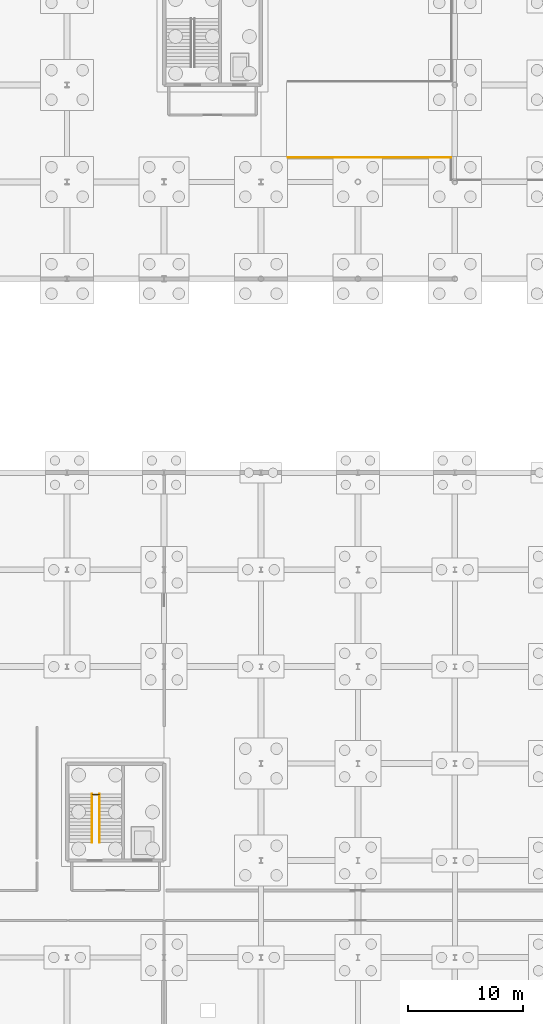
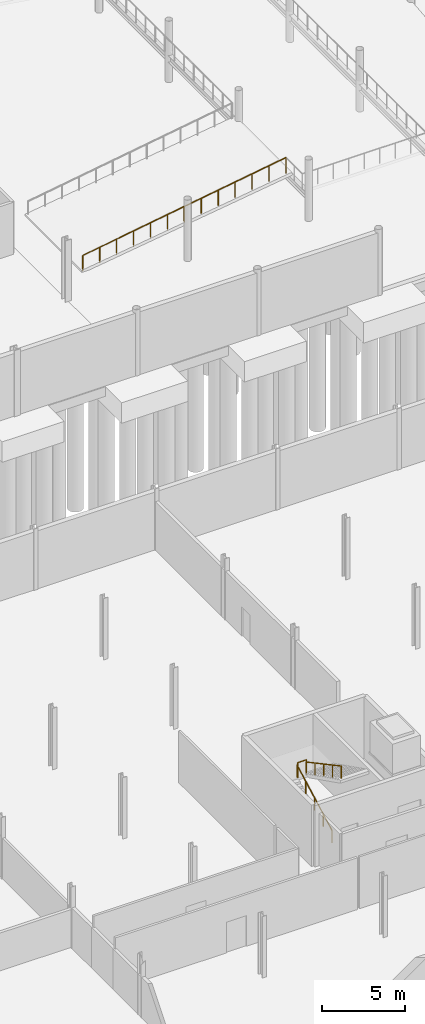
# One storey, part 49 of 51: 4 railings.
"""IFC4 building model written with IfcOpenShell, lengths in metres."""

from ifc_helpers import new_model, si_unit, direction, frame, origin, origin_2d, place, context, subcontext, project, spatial, circle, extrude, material, type_object, element, save


model = new_model("IFC4")

# Units and contexts
model_context = context("Model", 3, precision=1e-05, world=origin(), true_north=direction((0.0, 1.0)))
body_context = subcontext(model_context, "Body", "Model", "MODEL_VIEW")
ifc_project = project(units=[si_unit("LENGTHUNIT", "METRE"), si_unit("AREAUNIT", "SQUARE_METRE"), si_unit("VOLUMEUNIT", "CUBIC_METRE"), si_unit("PLANEANGLEUNIT", "RADIAN"), si_unit("MASSUNIT", "GRAM", prefix="KILO")], contexts=[model_context])

# Site, building, storey
site_placement = place(None, origin())
site = spatial("IfcSite", under=ifc_project, at=site_placement, CompositionType="ELEMENT")
building_placement = place(site_placement, origin())
building = spatial("IfcBuilding", under=site, at=building_placement, Name="Qalvenar Corner Mobility Hub", CompositionType="ELEMENT")
storey_placement = place(building_placement, frame((0.0, 0.0, -4.5)))
storey = spatial("IfcBuildingStorey", under=building, at=storey_placement, Name="B1", CompositionType="ELEMENT", Elevation=-4.5)

# Railings
ifc_material_1 = material(Name="Art Nouveau Bronze-Finished Steel Balustrade", Category="steel")
railing_type_1 = type_object("IfcRailingType", Name="RL-GUARD-110", PredefinedType="GUARDRAIL", material=ifc_material_1)
railing_1_placement = place(storey_placement, frame((128.18994140625, 22.5, 2.25)))
element("IfcRailing", 1, at=railing_1_placement, inside=storey, type_object=railing_type_1, Name="Stair Half-Landing Well Guard ST6-B1", PredefinedType="GUARDRAIL", context=body_context, shape_type="SweptSolid", body=[
    extrude(circle(Radius=0.02392578125, at=origin_2d()), frame((0.0, 0.0, 1.09619140625), z_axis=(1.0, 0.0, 0.0), x_axis=(0.0, 1.0, 0.0)), (0.0, 0.0, 1.0), 0.60009765625),
    extrude(circle(Radius=0.02099609375, at=origin_2d()), origin(), (0.0, 0.0, 1.0), 1.072021484375),
    extrude(circle(Radius=0.02099609375, at=origin_2d()), frame((0.60009765625, 0.0, 0.0)), (0.0, 0.0, 1.0), 1.072021484375),
])
ifc_material_2 = material(Name="Galvanised Steel Deck Edge Barrier", Category="steel")
railing_type_2 = type_object("IfcRailingType", Name="RL-GUARD-115", PredefinedType="GUARDRAIL", material=ifc_material_2)
railing_2_placement = place(storey_placement, frame((145.14990234375, 77.719970703125, 0.0)))
element("IfcRailing", 2, at=railing_2_placement, inside=storey, type_object=railing_type_2, Name="Ramp Guardrail B1-L00-GR3", PredefinedType="GUARDRAIL", context=body_context, shape_type="SweptSolid", body=[
    extrude(circle(Radius=0.02392578125, at=origin_2d()), frame((0.0, 0.0, 1.1259765625), z_axis=(0.987506272963, 0.0, 0.157579696846), x_axis=(0.0, 1.0, 0.0)), (0.0, 0.0, 1.0), 14.278564453125),
    extrude(circle(Radius=0.02099609375, at=origin_2d()), origin(), (0.0, 0.0, 1.0), 1.101806640625),
    extrude(circle(Radius=0.02099609375, at=origin_2d()), frame((1.175048828125, 0.0, 0.1875)), (0.0, 0.0, 1.0), 1.101806640625),
    extrude(circle(Radius=0.02099609375, at=origin_2d()), frame((2.35009765625, 0.0, 0.375)), (0.0, 0.0, 1.0), 1.101806640625),
    extrude(circle(Radius=0.02099609375, at=origin_2d()), frame((3.52490234375, 0.0, 0.5625)), (0.0, 0.0, 1.0), 1.101806640625),
    extrude(circle(Radius=0.02099609375, at=origin_2d()), frame((4.699951171875, 0.0, 0.75)), (0.0, 0.0, 1.0), 1.101806640625),
    extrude(circle(Radius=0.02099609375, at=origin_2d()), frame((5.875, 0.0, 0.9375)), (0.0, 0.0, 1.0), 1.101806640625),
    extrude(circle(Radius=0.02099609375, at=origin_2d()), frame((7.050048828125, 0.0, 1.125)), (0.0, 0.0, 1.0), 1.101806640625),
    extrude(circle(Radius=0.02099609375, at=origin_2d()), frame((8.22509765625, 0.0, 1.3125)), (0.0, 0.0, 1.0), 1.101806640625),
    extrude(circle(Radius=0.02099609375, at=origin_2d()), frame((9.400146484375, 0.0, 1.5)), (0.0, 0.0, 1.0), 1.101806640625),
    extrude(circle(Radius=0.02099609375, at=origin_2d()), frame((10.5751953125, 0.0, 1.6875)), (0.0, 0.0, 1.0), 1.101806640625),
    extrude(circle(Radius=0.02099609375, at=origin_2d()), frame((11.75, 0.0, 1.875)), (0.0, 0.0, 1.0), 1.101806640625),
    extrude(circle(Radius=0.02099609375, at=origin_2d()), frame((12.925048828125, 0.0, 2.0625)), (0.0, 0.0, 1.0), 1.101806640625),
    extrude(circle(Radius=0.02099609375, at=origin_2d()), frame((14.10009765625, 0.0, 2.25)), (0.0, 0.0, 1.0), 1.101806640625),
])
ifc_material_3 = material(Name="Brushed Stainless Steel Handrail", Category="steel")
railing_type_3 = type_object("IfcRailingType", Name="RL-HAND-092", PredefinedType="HANDRAIL", material=ifc_material_3)
railing_3_placement = place(storey_placement, frame((128.169921875, 18.35009765625, 0.0)))
element("IfcRailing", 3, at=railing_3_placement, inside=storey, type_object=railing_type_3, Name="Stair Handrail ST6-B1-1", PredefinedType="HANDRAIL", context=body_context, shape_type="SweptSolid", body=[
    extrude(circle(Radius=0.02392578125, at=origin_2d()), frame((0.0, 0.0, 0.89599609375), z_axis=(0.0, 0.881477684796, 0.472225678258), x_axis=(-1.0, 0.0, 0.0)), (0.0, 0.0, 1.0), 4.7646484375),
    extrude(circle(Radius=0.02099609375, at=origin_2d()), origin(), (0.0, 0.0, 1.0), 0.871826171875),
    extrude(circle(Radius=0.02099609375, at=origin_2d()), frame((0.0, 1.050048828125, 0.5625)), (0.0, 0.0, 1.0), 0.871826171875),
    extrude(circle(Radius=0.02099609375, at=origin_2d()), frame((0.0, 2.10009765625, 1.125)), (0.0, 0.0, 1.0), 0.871826171875),
    extrude(circle(Radius=0.02099609375, at=origin_2d()), frame((0.0, 3.14990234375, 1.6875)), (0.0, 0.0, 1.0), 0.871826171875),
    extrude(circle(Radius=0.02099609375, at=origin_2d()), frame((0.0, 4.199951171875, 2.25)), (0.0, 0.0, 1.0), 0.871826171875),
])
railing_4_placement = place(storey_placement, frame((128.81005859375, 22.550048828125, 2.25)))
element("IfcRailing", 4, at=railing_4_placement, inside=storey, type_object=railing_type_3, Name="Stair Handrail ST6-B1-2", PredefinedType="HANDRAIL", context=body_context, shape_type="SweptSolid", body=[
    extrude(circle(Radius=0.02392578125, at=origin_2d()), frame((0.0, 0.0, 0.89599609375), z_axis=(0.0, -0.881477684796, 0.472225678258), x_axis=(1.0, 0.0, 0.0)), (0.0, 0.0, 1.0), 4.7646484375),
    extrude(circle(Radius=0.02099609375, at=origin_2d()), origin(), (0.0, 0.0, 1.0), 0.871826171875),
    extrude(circle(Radius=0.02099609375, at=origin_2d()), frame((0.0, -1.050048828125, 0.5625)), (0.0, 0.0, 1.0), 0.871826171875),
    extrude(circle(Radius=0.02099609375, at=origin_2d()), frame((0.0, -2.10009765625, 1.125)), (0.0, 0.0, 1.0), 0.871826171875),
    extrude(circle(Radius=0.02099609375, at=origin_2d()), frame((0.0, -3.14990234375, 1.6875)), (0.0, 0.0, 1.0), 0.871826171875),
    extrude(circle(Radius=0.02099609375, at=origin_2d()), frame((0.0, -4.199951171875, 2.25)), (0.0, 0.0, 1.0), 0.871826171875),
])

save(model, "model.ifc")
